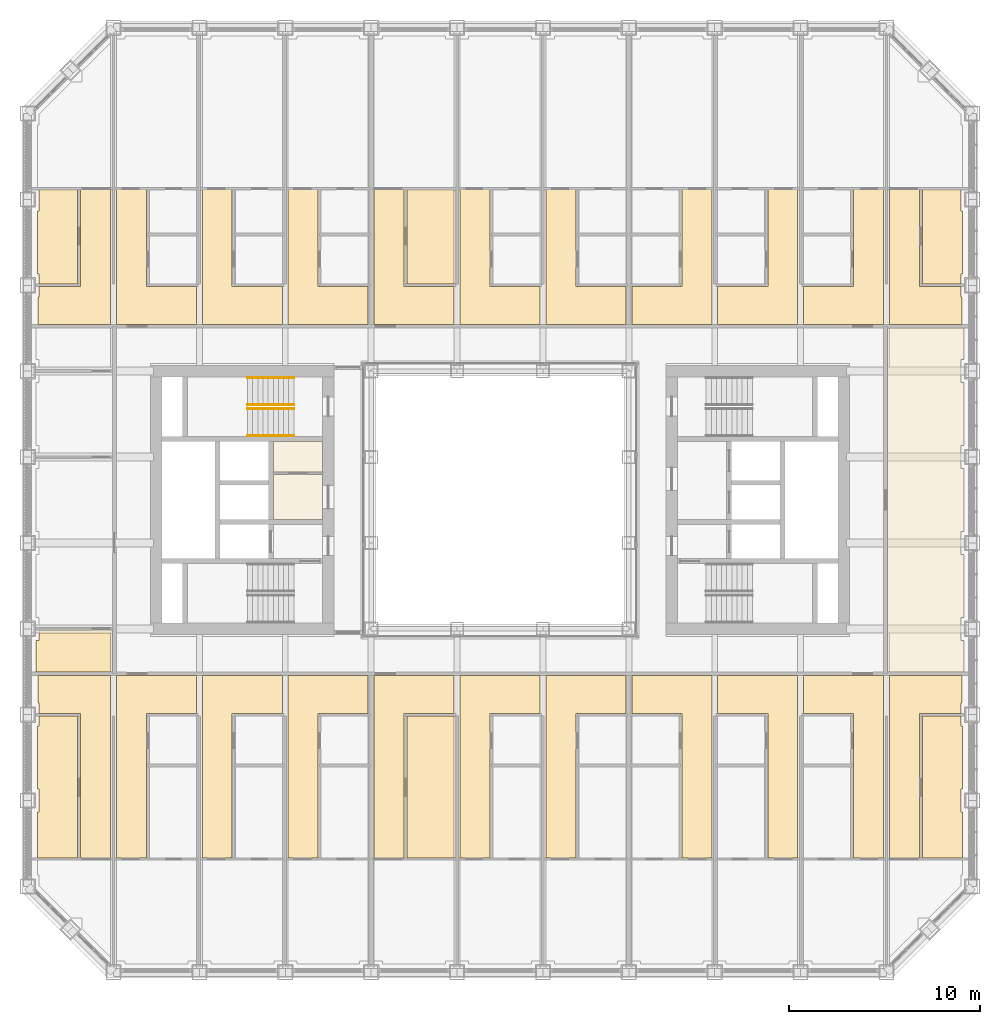
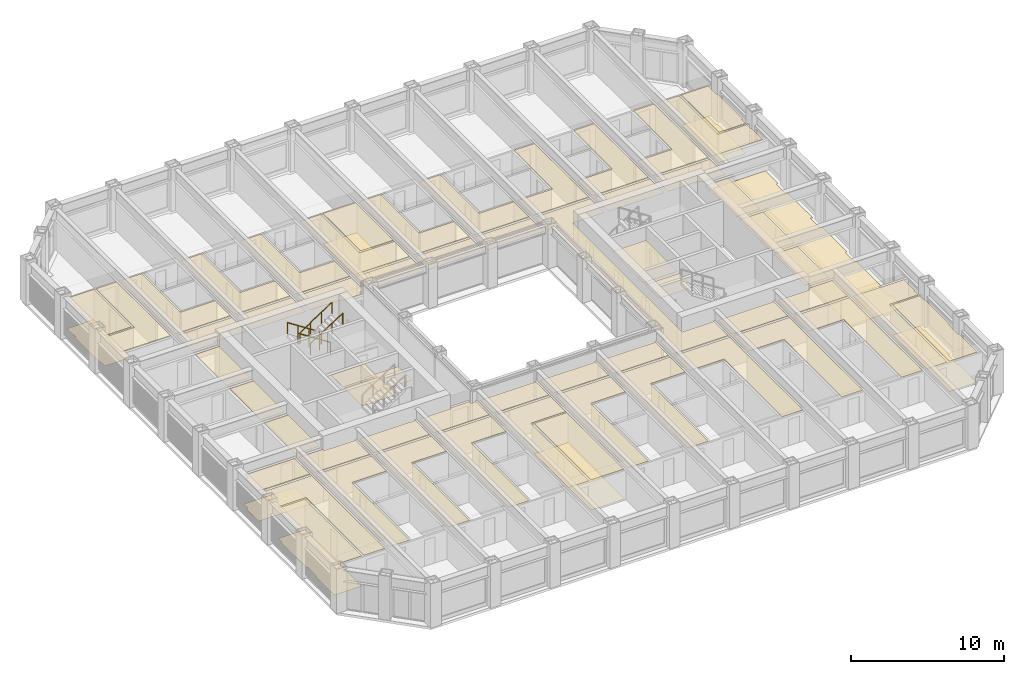
# One storey, part 18 of 21: 4 railings, 3 coverings.
"""IFC4 building model written with IfcOpenShell, lengths in metres."""

from ifc_helpers import new_model, si_unit, direction, frame, origin, origin_2d, place, context, subcontext, project, spatial, line, indexed_curve, circle, outline, extrude, material, layer, layer_set, type_object, element, save


model = new_model("IFC4")

# Units and contexts
model_context = context("Model", 3, precision=1e-05, world=origin(), true_north=direction((0.0, 1.0)))
body_context = subcontext(model_context, "Body", "Model", "MODEL_VIEW")
ifc_project = project(units=[si_unit("LENGTHUNIT", "METRE"), si_unit("AREAUNIT", "SQUARE_METRE"), si_unit("VOLUMEUNIT", "CUBIC_METRE"), si_unit("PLANEANGLEUNIT", "RADIAN"), si_unit("MASSUNIT", "GRAM", prefix="KILO")], contexts=[model_context])

# Site, building, storey
site_placement = place(None, origin())
site = spatial("IfcSite", under=ifc_project, at=site_placement, CompositionType="ELEMENT")
building_placement = place(site_placement, origin())
building = spatial("IfcBuilding", under=site, at=building_placement, Name="Msasa Ring Tower", CompositionType="ELEMENT")
storey_placement = place(building_placement, frame((0.0, 0.0, 89.5)))
storey = spatial("IfcBuildingStorey", under=building, at=storey_placement, Name="L23", CompositionType="ELEMENT", Elevation=89.5)

# Coverings
ifc_material_1 = material(Name="Gypsum plasterboard on a steel suspension grid", Category="steel")
ifc_layer_1 = layer(ifc_material_1, 0.014892578125)
ifc_layer_set_1 = layer_set([ifc_layer_1], Name="C1 SUSPENDED PLASTERBOARD CEILING 15")
covering_type_1 = type_object("IfcCoveringType", Name="C1 SUSPENDED PLASTERBOARD CEILING 15", PredefinedType="CEILING", material=ifc_layer_set_1)
covering_1_placement = place(storey_placement, frame((0.0, 0.0, 2.39990234375)))
element("IfcCovering", 1, at=covering_1_placement, inside=storey, type_object=covering_type_1, Name="Suspended Plasterboard Ceiling 15 circulation L23", PredefinedType="CEILING", context=body_context, shape_type="SweptSolid", body=[
    extrude(outline(indexed_curve([(-21.969482421875, -18.757080078125), (-21.969482421875, -11.18701171875), (-24.1494140625, -11.18701171875), (-24.1494140625, -10.6494140625), (-24.199462890625, -10.6494140625), (-24.199462890625, -9.200439453125), (-20.404296875, -9.200439453125), (-20.404296875, -18.757080078125)], segments=[line(1, 2, 3, 4, 5, 6, 7, 8, 1)], self_intersect=False)), origin(), (0.0, 0.0, 1.0), 0.01513671875),
    extrude(outline(indexed_curve([(-24.199462890625, 9.200439453125), (-24.199462890625, 10.6494140625), (-24.1494140625, 10.6494140625), (-24.1494140625, 11.18701171875), (-21.969482421875, 11.18701171875), (-21.969482421875, 16.257080078125), (-20.404296875, 16.257080078125), (-20.404296875, 9.200439453125)], segments=[line(1, 2, 3, 4, 5, 6, 7, 8, 1)], self_intersect=False)), origin(), (0.0, 0.0, 1.0), 0.01513671875),
    extrude(outline(indexed_curve([(-20.099609375, -2.460693359375), (-18.300537109375, -2.460693359375), (-18.300537109375, -6.539306640625), (-20.099609375, -6.539306640625)], segments=[line(1, 2, 3, 4, 1)], self_intersect=False)), origin(), (0.0, 0.0, 1.0), 0.01513671875),
    extrude(outline(indexed_curve([(-20.099609375, 2.039306640625), (-18.300537109375, 2.039306640625), (-18.300537109375, -2.039306640625), (-20.099609375, -2.039306640625)], segments=[line(1, 2, 3, 4, 1)], self_intersect=False)), origin(), (0.0, 0.0, 1.0), 0.01513671875),
    extrude(outline(indexed_curve([(-20.099609375, 6.539306640625), (-18.300537109375, 6.539306640625), (-18.300537109375, 2.460693359375), (-20.099609375, 2.460693359375)], segments=[line(1, 2, 3, 4, 1)], self_intersect=False)), origin(), (0.0, 0.0, 1.0), 0.01513671875),
    extrude(outline(indexed_curve([(-18.530517578125, -11.18701171875), (-18.530517578125, -18.757080078125), (-20.095703125, -18.757080078125), (-20.095703125, -9.200439453125), (-15.904296875, -9.200439453125), (-15.904296875, -11.18701171875)], segments=[line(1, 2, 3, 4, 5, 6, 1)], self_intersect=False)), origin(), (0.0, 0.0, 1.0), 0.01513671875),
    extrude(outline(indexed_curve([(-20.095703125, -8.99951171875), (-20.095703125, -6.960693359375), (-18.300537109375, -6.960693359375), (-18.300537109375, -7.150390625), (-15.904296875, -7.150390625), (-15.904296875, -8.99951171875)], segments=[line(1, 2, 3, 4, 5, 6, 1)], self_intersect=False)), origin(), (0.0, 0.0, 1.0), 0.01513671875),
    extrude(outline(indexed_curve([(-15.904296875, 8.99951171875), (-15.904296875, 7.150390625), (-18.300537109375, 7.150390625), (-18.300537109375, 6.960693359375), (-20.095703125, 6.960693359375), (-20.095703125, 8.99951171875)], segments=[line(1, 2, 3, 4, 5, 6, 1)], self_intersect=False)), origin(), (0.0, 0.0, 1.0), 0.01513671875),
    extrude(outline(indexed_curve([(-18.530517578125, 16.257080078125), (-18.530517578125, 11.18701171875), (-15.904296875, 11.18701171875), (-15.904296875, 9.200439453125), (-20.095703125, 9.200439453125), (-20.095703125, 16.257080078125)], segments=[line(1, 2, 3, 4, 5, 6, 1)], self_intersect=False)), origin(), (0.0, 0.0, 1.0), 0.01513671875),
    extrude(outline(indexed_curve([(-14.030517578125, -11.18701171875), (-14.030517578125, -18.757080078125), (-15.595703125, -18.757080078125), (-15.595703125, -9.200439453125), (-11.404296875, -9.200439453125), (-11.404296875, -11.18701171875)], segments=[line(1, 2, 3, 4, 5, 6, 1)], self_intersect=False)), origin(), (0.0, 0.0, 1.0), 0.01513671875),
    extrude(outline(indexed_curve([(-15.595703125, -8.99951171875), (-15.595703125, -7.150390625), (-11.404296875, -7.150390625), (-11.404296875, -8.99951171875)], segments=[line(1, 2, 3, 4, 1)], self_intersect=False)), origin(), (0.0, 0.0, 1.0), 0.01513671875),
    extrude(outline(indexed_curve([(-11.404296875, 8.99951171875), (-11.404296875, 7.150390625), (-15.595703125, 7.150390625), (-15.595703125, 8.99951171875)], segments=[line(1, 2, 3, 4, 1)], self_intersect=False)), origin(), (0.0, 0.0, 1.0), 0.01513671875),
    extrude(outline(indexed_curve([(-14.030517578125, 16.257080078125), (-14.030517578125, 11.18701171875), (-11.404296875, 11.18701171875), (-11.404296875, 9.200439453125), (-15.595703125, 9.200439453125), (-15.595703125, 16.257080078125)], segments=[line(1, 2, 3, 4, 5, 6, 1)], self_intersect=False)), origin(), (0.0, 0.0, 1.0), 0.01513671875),
    extrude(outline(indexed_curve([(-11.87451171875, -1.275390625), (-9.300537109375, -1.275390625), (-9.300537109375, -3.074462890625), (-11.87451171875, -3.074462890625)], segments=[line(1, 2, 3, 4, 1)], self_intersect=False)), origin(), (0.0, 0.0, 1.0), 0.01513671875),
    extrude(outline(indexed_curve([(-6.904296875, -9.200439453125), (-6.904296875, -11.18701171875), (-9.530517578125, -11.18701171875), (-9.530517578125, -18.757080078125), (-11.095703125, -18.757080078125), (-11.095703125, -9.200439453125)], segments=[line(1, 2, 3, 4, 5, 6, 1)], self_intersect=False)), origin(), (0.0, 0.0, 1.0), 0.01513671875),
    extrude(outline(indexed_curve([(-11.095703125, -8.99951171875), (-11.095703125, -7.150390625), (-8.699462890625, -7.150390625), (-8.699462890625, -7.050537109375), (-7.280029296875, -7.050537109375), (-7.275390625, -7.275390625), (-6.904296875, -7.280029296875), (-6.904296875, -8.99951171875)], segments=[line(1, 2, 3, 4, 5, 6, 7, 8, 1)], self_intersect=False)), origin(), (0.0, 0.0, 1.0), 0.01513671875),
    extrude(outline(indexed_curve([(-6.904296875, 8.99951171875), (-6.904296875, 7.280029296875), (-7.275390625, 7.275390625), (-7.280029296875, 7.050537109375), (-8.699462890625, 7.050537109375), (-8.699462890625, 7.150390625), (-11.095703125, 7.150390625), (-11.095703125, 8.99951171875)], segments=[line(1, 2, 3, 4, 5, 6, 7, 8, 1)], self_intersect=False)), origin(), (0.0, 0.0, 1.0), 0.01513671875),
    extrude(outline(indexed_curve([(-9.530517578125, 16.257080078125), (-9.530517578125, 11.18701171875), (-6.904296875, 11.18701171875), (-6.904296875, 9.200439453125), (-11.095703125, 9.200439453125), (-11.095703125, 16.257080078125)], segments=[line(1, 2, 3, 4, 5, 6, 1)], self_intersect=False)), origin(), (0.0, 0.0, 1.0), 0.01513671875),
    extrude(outline(indexed_curve([(-5.030517578125, -11.18701171875), (-5.030517578125, -18.757080078125), (-6.595703125, -18.757080078125), (-6.595703125, -9.200439453125), (-2.404296875, -9.200439453125), (-2.404296875, -11.18701171875)], segments=[line(1, 2, 3, 4, 5, 6, 1)], self_intersect=False)), origin(), (0.0, 0.0, 1.0), 0.01513671875),
    extrude(outline(indexed_curve([(-6.595703125, -8.99951171875), (-6.595703125, -7.280029296875), (-2.404296875, -7.280029296875), (-2.404296875, -8.99951171875)], segments=[line(1, 2, 3, 4, 1)], self_intersect=False)), origin(), (0.0, 0.0, 1.0), 0.01513671875),
    extrude(outline(indexed_curve([(-2.404296875, 8.99951171875), (-2.404296875, 7.280029296875), (-6.595703125, 7.280029296875), (-6.595703125, 8.99951171875)], segments=[line(1, 2, 3, 4, 1)], self_intersect=False)), origin(), (0.0, 0.0, 1.0), 0.01513671875),
    extrude(outline(indexed_curve([(-2.404296875, 11.18701171875), (-2.404296875, 9.200439453125), (-6.595703125, 9.200439453125), (-6.595703125, 16.257080078125), (-5.030517578125, 16.257080078125), (-5.030517578125, 11.18701171875)], segments=[line(1, 2, 3, 4, 5, 6, 1)], self_intersect=False)), origin(), (0.0, 0.0, 1.0), 0.01513671875),
    extrude(outline(indexed_curve([(-0.530517578125, -11.18701171875), (-0.530517578125, -18.757080078125), (-2.095703125, -18.757080078125), (-2.095703125, -9.200439453125), (2.095703125, -9.200439453125), (2.095703125, -11.18701171875)], segments=[line(1, 2, 3, 4, 5, 6, 1)], self_intersect=False)), origin(), (0.0, 0.0, 1.0), 0.01513671875),
    extrude(outline(indexed_curve([(-2.095703125, -8.99951171875), (-2.095703125, -7.280029296875), (2.095703125, -7.280029296875), (2.095703125, -8.99951171875)], segments=[line(1, 2, 3, 4, 1)], self_intersect=False)), origin(), (0.0, 0.0, 1.0), 0.01513671875),
    extrude(outline(indexed_curve([(2.095703125, 8.99951171875), (2.095703125, 7.280029296875), (-2.095703125, 7.280029296875), (-2.095703125, 8.99951171875)], segments=[line(1, 2, 3, 4, 1)], self_intersect=False)), origin(), (0.0, 0.0, 1.0), 0.01513671875),
    extrude(outline(indexed_curve([(-0.530517578125, 16.257080078125), (-0.530517578125, 11.18701171875), (2.095703125, 11.18701171875), (2.095703125, 9.200439453125), (-2.095703125, 9.200439453125), (-2.095703125, 16.257080078125)], segments=[line(1, 2, 3, 4, 5, 6, 1)], self_intersect=False)), origin(), (0.0, 0.0, 1.0), 0.01513671875),
    extrude(outline(indexed_curve([(6.595703125, -9.200439453125), (6.595703125, -11.18701171875), (3.969482421875, -11.18701171875), (3.969482421875, -18.757080078125), (2.404296875, -18.757080078125), (2.404296875, -9.200439453125)], segments=[line(1, 2, 3, 4, 5, 6, 1)], self_intersect=False)), origin(), (0.0, 0.0, 1.0), 0.01513671875),
    extrude(outline(indexed_curve([(2.404296875, -8.99951171875), (2.404296875, -7.280029296875), (6.595703125, -7.280029296875), (6.595703125, -8.99951171875)], segments=[line(1, 2, 3, 4, 1)], self_intersect=False)), origin(), (0.0, 0.0, 1.0), 0.01513671875),
    extrude(outline(indexed_curve([(6.595703125, 8.99951171875), (6.595703125, 7.280029296875), (2.404296875, 7.280029296875), (2.404296875, 8.99951171875)], segments=[line(1, 2, 3, 4, 1)], self_intersect=False)), origin(), (0.0, 0.0, 1.0), 0.01513671875),
    extrude(outline(indexed_curve([(3.969482421875, 16.257080078125), (3.969482421875, 11.18701171875), (6.595703125, 11.18701171875), (6.595703125, 9.200439453125), (2.404296875, 9.200439453125), (2.404296875, 16.257080078125)], segments=[line(1, 2, 3, 4, 5, 6, 1)], self_intersect=False)), origin(), (0.0, 0.0, 1.0), 0.01513671875),
    extrude(outline(indexed_curve([(9.530517578125, -18.757080078125), (9.530517578125, -11.18701171875), (6.904296875, -11.18701171875), (6.904296875, -9.200439453125), (11.095703125, -9.200439453125), (11.095703125, -18.757080078125)], segments=[line(1, 2, 3, 4, 5, 6, 1)], self_intersect=False)), origin(), (0.0, 0.0, 1.0), 0.01513671875),
    extrude(outline(indexed_curve([(6.904296875, -8.99951171875), (6.904296875, -7.280029296875), (7.275390625, -7.275390625), (7.280517578125, -7.23046875), (7.280517578125, 7.23046875), (7.275390625, 7.275390625), (6.904296875, 7.280029296875), (6.904296875, 8.99951171875), (11.095703125, 8.99951171875), (11.095703125, 7.150390625), (8.699462890625, 7.150390625), (8.699462890625, -7.150390625), (11.095703125, -7.150390625), (11.095703125, -8.99951171875)], segments=[line(1, 2, 3, 4, 5, 6, 7, 8, 9, 10, 11, 12, 13, 14, 1)], self_intersect=False)), origin(), (0.0, 0.0, 1.0), 0.01513671875),
    extrude(outline(indexed_curve([(6.904296875, 9.200439453125), (6.904296875, 11.18701171875), (9.530517578125, 11.18701171875), (9.530517578125, 16.257080078125), (11.095703125, 16.257080078125), (11.095703125, 9.200439453125)], segments=[line(1, 2, 3, 4, 5, 6, 1)], self_intersect=False)), origin(), (0.0, 0.0, 1.0), 0.01513671875),
    extrude(outline(indexed_curve([(9.300537109375, -1.275390625), (11.87451171875, -1.275390625), (11.87451171875, -3.074462890625), (9.300537109375, -3.074462890625)], segments=[line(1, 2, 3, 4, 1)], self_intersect=False)), origin(), (0.0, 0.0, 1.0), 0.01513671875),
    extrude(outline(indexed_curve([(9.300537109375, -1.0244140625), (9.300537109375, 3.074462890625), (11.87451171875, 3.074462890625), (11.87451171875, -1.0244140625)], segments=[line(1, 2, 3, 4, 1)], self_intersect=False)), origin(), (0.0, 0.0, 1.0), 0.01513671875),
    extrude(outline(indexed_curve([(14.030517578125, -18.757080078125), (14.030517578125, -11.18701171875), (11.404296875, -11.18701171875), (11.404296875, -9.200439453125), (15.595703125, -9.200439453125), (15.595703125, -18.757080078125)], segments=[line(1, 2, 3, 4, 5, 6, 1)], self_intersect=False)), origin(), (0.0, 0.0, 1.0), 0.01513671875),
    extrude(outline(indexed_curve([(11.404296875, -8.99951171875), (11.404296875, -7.150390625), (15.595703125, -7.150390625), (15.595703125, -8.99951171875)], segments=[line(1, 2, 3, 4, 1)], self_intersect=False)), origin(), (0.0, 0.0, 1.0), 0.01513671875),
    extrude(outline(indexed_curve([(15.595703125, 8.99951171875), (15.595703125, 7.150390625), (11.404296875, 7.150390625), (11.404296875, 8.99951171875)], segments=[line(1, 2, 3, 4, 1)], self_intersect=False)), origin(), (0.0, 0.0, 1.0), 0.01513671875),
    extrude(outline(indexed_curve([(14.030517578125, 16.257080078125), (15.595703125, 16.257080078125), (15.595703125, 9.200439453125), (11.404296875, 9.200439453125), (11.404296875, 11.18701171875), (14.030517578125, 11.18701171875)], segments=[line(1, 2, 3, 4, 5, 6, 1)], self_intersect=False)), origin(), (0.0, 0.0, 1.0), 0.01513671875),
    extrude(outline(indexed_curve([(18.530517578125, -18.757080078125), (18.530517578125, -11.18701171875), (15.904296875, -11.18701171875), (15.904296875, -9.200439453125), (20.095703125, -9.200439453125), (20.095703125, -18.757080078125)], segments=[line(1, 2, 3, 4, 5, 6, 1)], self_intersect=False)), origin(), (0.0, 0.0, 1.0), 0.01513671875),
    extrude(outline(indexed_curve([(15.904296875, -8.99951171875), (15.904296875, -7.150390625), (18.300537109375, -7.150390625), (18.300537109375, -6.960693359375), (20.095703125, -6.960693359375), (20.095703125, -8.99951171875)], segments=[line(1, 2, 3, 4, 5, 6, 1)], self_intersect=False)), origin(), (0.0, 0.0, 1.0), 0.01513671875),
    extrude(outline(indexed_curve([(20.095703125, 8.99951171875), (20.095703125, 6.960693359375), (18.300537109375, 6.960693359375), (18.300537109375, 7.150390625), (15.904296875, 7.150390625), (15.904296875, 8.99951171875)], segments=[line(1, 2, 3, 4, 5, 6, 1)], self_intersect=False)), origin(), (0.0, 0.0, 1.0), 0.01513671875),
    extrude(outline(indexed_curve([(18.530517578125, 11.18701171875), (18.530517578125, 16.257080078125), (20.095703125, 16.257080078125), (20.095703125, 9.200439453125), (15.904296875, 9.200439453125), (15.904296875, 11.18701171875)], segments=[line(1, 2, 3, 4, 5, 6, 1)], self_intersect=False)), origin(), (0.0, 0.0, 1.0), 0.01513671875),
    extrude(outline(indexed_curve([(20.099609375, -6.539306640625), (18.300537109375, -6.539306640625), (18.300537109375, -2.460693359375), (20.099609375, -2.460693359375)], segments=[line(1, 2, 3, 4, 1)], self_intersect=False)), origin(), (0.0, 0.0, 1.0), 0.01513671875),
    extrude(outline(indexed_curve([(20.099609375, -2.039306640625), (18.300537109375, -2.039306640625), (18.300537109375, 2.039306640625), (20.099609375, 2.039306640625)], segments=[line(1, 2, 3, 4, 1)], self_intersect=False)), origin(), (0.0, 0.0, 1.0), 0.01513671875),
    extrude(outline(indexed_curve([(20.099609375, 2.460693359375), (18.300537109375, 2.460693359375), (18.300537109375, 6.539306640625), (20.099609375, 6.539306640625)], segments=[line(1, 2, 3, 4, 1)], self_intersect=False)), origin(), (0.0, 0.0, 1.0), 0.01513671875),
    extrude(outline(indexed_curve([(24.199462890625, -9.200439453125), (24.199462890625, -10.6494140625), (24.1494140625, -10.6494140625), (24.1494140625, -11.18701171875), (21.969482421875, -11.18701171875), (21.969482421875, -18.757080078125), (20.404296875, -18.757080078125), (20.404296875, -9.200439453125)], segments=[line(1, 2, 3, 4, 5, 6, 7, 8, 1)], self_intersect=False)), origin(), (0.0, 0.0, 1.0), 0.01513671875),
    extrude(outline(indexed_curve([(21.969482421875, 16.257080078125), (21.969482421875, 11.18701171875), (24.1494140625, 11.18701171875), (24.1494140625, 10.6494140625), (24.199462890625, 10.6494140625), (24.199462890625, 9.200439453125), (20.404296875, 9.200439453125), (20.404296875, 16.257080078125)], segments=[line(1, 2, 3, 4, 5, 6, 7, 8, 1)], self_intersect=False)), origin(), (0.0, 0.0, 1.0), 0.01513671875),
])
ifc_material_2 = material(Name="Perforated aluminium ceiling pans on a steel grid", Category="steel")
ifc_layer_2 = layer(ifc_material_2, 0.02490234375)
ifc_layer_set_2 = layer_set([ifc_layer_2], Name="C4 PERFORATED METAL PAN CEILING 25")
covering_type_2 = type_object("IfcCoveringType", Name="C4 PERFORATED METAL PAN CEILING 25", PredefinedType="CEILING", material=ifc_layer_set_2)
covering_2_placement = place(storey_placement, frame((0.0, 0.0, 2.39990234375)))
element("IfcCovering", 2, at=covering_2_placement, inside=storey, type_object=covering_type_2, Name="Perforated Metal Pan Ceiling 25 L23", PredefinedType="CEILING", context=body_context, shape_type="SweptSolid", body=[
    extrude(outline(indexed_curve([(-24.299560546875, -8.99951171875), (-24.299560546875, -7.3505859375), (-24.1494140625, -7.3505859375), (-24.1494140625, -6.960693359375), (-20.404296875, -6.960693359375), (-20.404296875, -8.99951171875)], segments=[line(1, 2, 3, 4, 5, 6, 1)], self_intersect=False)), origin(), (0.0, 0.0, 1.0), 0.025146484375),
    extrude(outline(indexed_curve([(-22.130615234375, -18.757080078125), (-24.23193359375, -18.757080078125), (-24.23193359375, -16.3505859375), (-24.1494140625, -16.3505859375), (-24.1494140625, -15.1494140625), (-24.23193359375, -15.1494140625), (-24.23193359375, -11.8505859375), (-24.1494140625, -11.8505859375), (-24.1494140625, -11.318115234375), (-22.130615234375, -11.318115234375)], segments=[line(1, 2, 3, 4, 5, 6, 7, 8, 9, 10, 1)], self_intersect=False)), origin(), (0.0, 0.0, 1.0), 0.025146484375),
    extrude(outline(indexed_curve([(-24.1494140625, 11.318115234375), (-24.1494140625, 11.8505859375), (-24.23193359375, 11.8505859375), (-24.23193359375, 15.1494140625), (-24.1494140625, 15.1494140625), (-24.1494140625, 16.257080078125), (-22.130615234375, 16.257080078125), (-22.130615234375, 11.318115234375)], segments=[line(1, 2, 3, 4, 5, 6, 7, 8, 1)], self_intersect=False)), origin(), (0.0, 0.0, 1.0), 0.025146484375),
    extrude(outline(indexed_curve([(-4.869384765625, -18.757080078125), (-4.869384765625, -11.318115234375), (-2.404296875, -11.318115234375), (-2.404296875, -18.757080078125)], segments=[line(1, 2, 3, 4, 1)], self_intersect=False)), origin(), (0.0, 0.0, 1.0), 0.025146484375),
    extrude(outline(indexed_curve([(-4.869384765625, 11.318115234375), (-4.869384765625, 16.257080078125), (-2.404296875, 16.257080078125), (-2.404296875, 11.318115234375)], segments=[line(1, 2, 3, 4, 1)], self_intersect=False)), origin(), (0.0, 0.0, 1.0), 0.025146484375),
    extrude(outline(indexed_curve([(22.130615234375, -18.757080078125), (22.130615234375, -11.318115234375), (24.1494140625, -11.318115234375), (24.1494140625, -11.8505859375), (24.23193359375, -11.8505859375), (24.23193359375, -15.1494140625), (24.1494140625, -15.1494140625), (24.1494140625, -16.3505859375), (24.23193359375, -16.3505859375), (24.23193359375, -18.757080078125)], segments=[line(1, 2, 3, 4, 5, 6, 7, 8, 9, 10, 1)], self_intersect=False)), origin(), (0.0, 0.0, 1.0), 0.025146484375),
    extrude(outline(indexed_curve([(22.130615234375, 11.318115234375), (22.130615234375, 16.257080078125), (24.1494140625, 16.257080078125), (24.1494140625, 15.1494140625), (24.23193359375, 15.1494140625), (24.23193359375, 11.8505859375), (24.1494140625, 11.8505859375), (24.1494140625, 11.318115234375)], segments=[line(1, 2, 3, 4, 5, 6, 7, 8, 1)], self_intersect=False)), origin(), (0.0, 0.0, 1.0), 0.025146484375),
])
ifc_material_3 = material(Name="Welded vinyl safety sheet flooring", Category="vinyl")
ifc_layer_3 = layer(ifc_material_3, 0.0029296875)
ifc_layer_set_3 = layer_set([ifc_layer_3], Name="F5 RESILIENT SHEET FLOORING 3")
covering_type_3 = type_object("IfcCoveringType", Name="F5 RESILIENT SHEET FLOORING 3", PredefinedType="FLOORING", material=ifc_layer_set_3)
covering_3_placement = place(storey_placement, origin())
element("IfcCovering", 3, at=covering_3_placement, inside=storey, type_object=covering_type_3, Name="Resilient Sheet Flooring 3 L23", PredefinedType="FLOORING", context=body_context, shape_type="SweptSolid", body=[
    extrude(outline(indexed_curve([(-24.299560546875, -8.99951171875), (-24.299560546875, -7.3505859375), (-24.1494140625, -7.3505859375), (-24.1494140625, -6.805419921875), (-20.300537109375, -6.805419921875), (-20.300537109375, -8.99951171875)], segments=[line(1, 2, 3, 4, 5, 6, 1)], self_intersect=False)), origin(), (0.0, 0.0, 1.0), 0.0029296875),
    extrude(outline(indexed_curve([(-24.23193359375, -16.3505859375), (-24.1494140625, -16.3505859375), (-24.1494140625, -15.1494140625), (-24.23193359375, -15.1494140625), (-24.23193359375, -11.8505859375), (-24.1494140625, -11.8505859375), (-24.1494140625, -11.318115234375), (-22.130615234375, -11.318115234375), (-22.130615234375, -18.74951171875), (-24.23193359375, -18.74951171875)], segments=[line(1, 2, 3, 4, 5, 6, 7, 8, 9, 10, 1)], self_intersect=False)), origin(), (0.0, 0.0, 1.0), 0.0029296875),
    extrude(outline(indexed_curve([(-24.23193359375, 15.1494140625), (-24.1494140625, 15.1494140625), (-24.1494140625, 16.24951171875), (-22.130615234375, 16.24951171875), (-22.130615234375, 11.318115234375), (-24.1494140625, 11.318115234375), (-24.1494140625, 11.8505859375), (-24.23193359375, 11.8505859375)], segments=[line(1, 2, 3, 4, 5, 6, 7, 8, 1)], self_intersect=False)), origin(), (0.0, 0.0, 1.0), 0.0029296875),
    extrude(outline(indexed_curve([(-11.87451171875, 1.344482421875), (-9.300537109375, 1.344482421875), (-9.300537109375, -1.0244140625), (-11.87451171875, -1.0244140625)], segments=[line(1, 2, 3, 4, 1)], self_intersect=False)), origin(), (0.0, 0.0, 1.0), 0.0029296875),
    extrude(outline(indexed_curve([(-11.87451171875, 3.074462890625), (-9.300537109375, 3.074462890625), (-9.300537109375, 1.45556640625), (-11.87451171875, 1.45556640625)], segments=[line(1, 2, 3, 4, 1)], self_intersect=False)), origin(), (0.0, 0.0, 1.0), 0.0029296875),
    extrude(outline(indexed_curve([(-4.869384765625, -11.318115234375), (-2.318115234375, -11.318115234375), (-2.318115234375, -18.74951171875), (-4.869384765625, -18.74951171875)], segments=[line(1, 2, 3, 4, 1)], self_intersect=False)), origin(), (0.0, 0.0, 1.0), 0.0029296875),
    extrude(outline(indexed_curve([(-2.318115234375, 11.318115234375), (-4.869384765625, 11.318115234375), (-4.869384765625, 16.24951171875), (-2.318115234375, 16.24951171875)], segments=[line(1, 2, 3, 4, 1)], self_intersect=False)), origin(), (0.0, 0.0, 1.0), 0.0029296875),
    extrude(outline(indexed_curve([(20.300537109375, 8.99951171875), (24.299560546875, 8.99951171875), (24.299560546875, 7.3505859375), (24.1494140625, 7.3505859375), (24.1494140625, 6.1494140625), (24.299560546875, 6.1494140625), (24.299560546875, 2.8505859375), (24.1494140625, 2.8505859375), (24.1494140625, 1.6494140625), (24.299560546875, 1.6494140625), (24.299560546875, -1.6494140625), (24.1494140625, -1.6494140625), (24.1494140625, -2.8505859375), (24.299560546875, -2.8505859375), (24.299560546875, -6.1494140625), (24.1494140625, -6.1494140625), (24.1494140625, -7.3505859375), (24.299560546875, -7.3505859375), (24.299560546875, -8.99951171875), (20.300537109375, -8.99951171875)], segments=[line(1, 2, 3, 4, 5, 6, 7, 8, 9, 10, 11, 12, 13, 14, 15, 16, 17, 18, 19, 20, 1)], self_intersect=False)), origin(), (0.0, 0.0, 1.0), 0.0029296875),
    extrude(outline(indexed_curve([(22.130615234375, -11.318115234375), (24.1494140625, -11.318115234375), (24.1494140625, -11.8505859375), (24.23193359375, -11.8505859375), (24.23193359375, -15.1494140625), (24.1494140625, -15.1494140625), (24.1494140625, -16.3505859375), (24.23193359375, -16.3505859375), (24.23193359375, -18.74951171875), (22.130615234375, -18.74951171875)], segments=[line(1, 2, 3, 4, 5, 6, 7, 8, 9, 10, 1)], self_intersect=False)), origin(), (0.0, 0.0, 1.0), 0.0029296875),
    extrude(outline(indexed_curve([(24.23193359375, 11.8505859375), (24.1494140625, 11.8505859375), (24.1494140625, 11.318115234375), (22.130615234375, 11.318115234375), (22.130615234375, 16.24951171875), (24.1494140625, 16.24951171875), (24.1494140625, 15.1494140625), (24.23193359375, 15.1494140625)], segments=[line(1, 2, 3, 4, 5, 6, 7, 8, 1)], self_intersect=False)), origin(), (0.0, 0.0, 1.0), 0.0029296875),
])

# Railings
ifc_material_4 = material(Name="Stainless steel", Category="steel")
railing_type = type_object("IfcRailingType", Name="HR1 HANDRAIL 900", PredefinedType="HANDRAIL", material=ifc_material_4)
for number, where, name in (
    (4, (-10.800048828125, 5.0, 0.175048828125), "Handrail stair SWB L23 1"),
    (5, (-10.800048828125, 6.39990234375, 0.175048828125), "Handrail stair SWB L23 2"),
):
    element("IfcRailing", number, at=place(storey_placement, frame(where)), inside=storey, type_object=railing_type, Name=name, PredefinedType="HANDRAIL", context=body_context, shape_type="SweptSolid", body=[
        extrude(circle(Radius=0.02392578125, at=origin_2d()), frame((0.0, 0.0, 0.8759765625), z_axis=(-0.839153699163, 0.0, 0.543894354798), x_axis=(0.0, -1.0, 0.0)), (0.0, 0.0, 1.0), 2.895751953125),
        extrude(circle(Radius=0.02099609375, at=origin_2d()), origin(), (0.0, 0.0, 1.0), 0.851806640625),
        extrude(circle(Radius=0.02099609375, at=origin_2d()), frame((-0.81005859375, 0.0, 0.52490234375)), (0.0, 0.0, 1.0), 0.851806640625),
        extrude(circle(Radius=0.02099609375, at=origin_2d()), frame((-1.619873046875, 0.0, 1.050048828125)), (0.0, 0.0, 1.0), 0.851806640625),
        extrude(circle(Radius=0.02099609375, at=origin_2d()), frame((-2.429931640625, 0.0, 1.574951171875)), (0.0, 0.0, 1.0), 0.851806640625),
    ])
for number, where, name in (
    (6, (-13.22998046875, 3.375, 1.925048828125), "Handrail stair SWB L23 3"),
    (7, (-13.22998046875, 4.77490234375, 1.925048828125), "Handrail stair SWB L23 4"),
):
    element("IfcRailing", number, at=place(storey_placement, frame(where)), inside=storey, type_object=railing_type, Name=name, PredefinedType="HANDRAIL", context=body_context, shape_type="SweptSolid", body=[
        extrude(circle(Radius=0.02392578125, at=origin_2d()), frame((0.0, 0.0, 0.8759765625), z_axis=(0.839153699163, 0.0, 0.543894354798), x_axis=(0.0, 1.0, 0.0)), (0.0, 0.0, 1.0), 2.895751953125),
        extrude(circle(Radius=0.02099609375, at=origin_2d()), origin(), (0.0, 0.0, 1.0), 0.851806640625),
        extrude(circle(Radius=0.02099609375, at=origin_2d()), frame((0.81005859375, 0.0, 0.52490234375)), (0.0, 0.0, 1.0), 0.851806640625),
        extrude(circle(Radius=0.02099609375, at=origin_2d()), frame((1.619873046875, 0.0, 1.050048828125)), (0.0, 0.0, 1.0), 0.851806640625),
        extrude(circle(Radius=0.02099609375, at=origin_2d()), frame((2.429931640625, 0.0, 1.574951171875)), (0.0, 0.0, 1.0), 0.851806640625),
    ])

save(model, "model.ifc")
